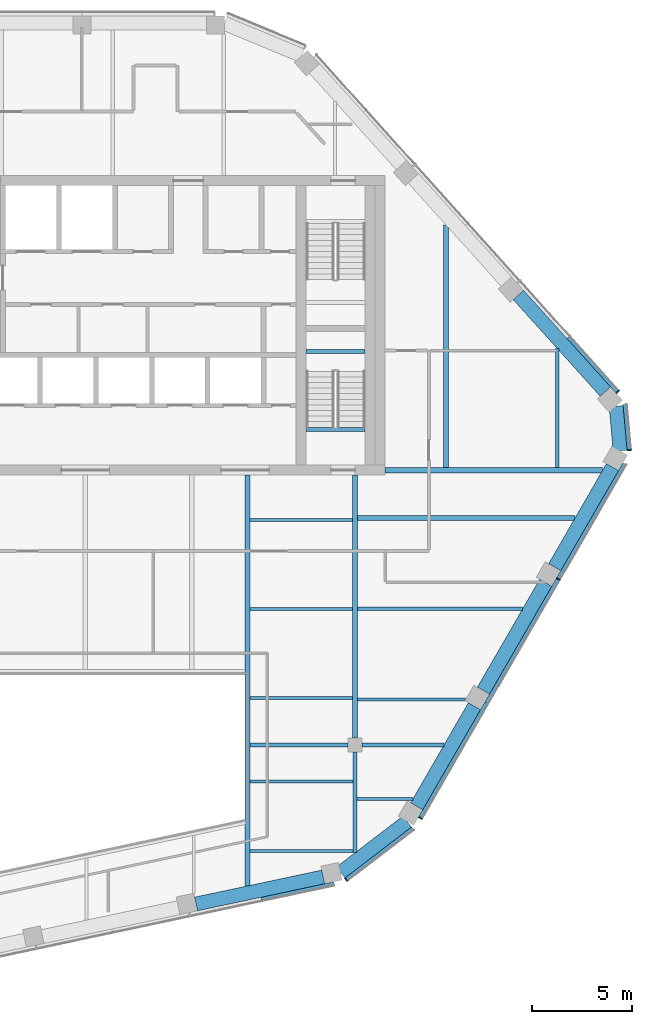
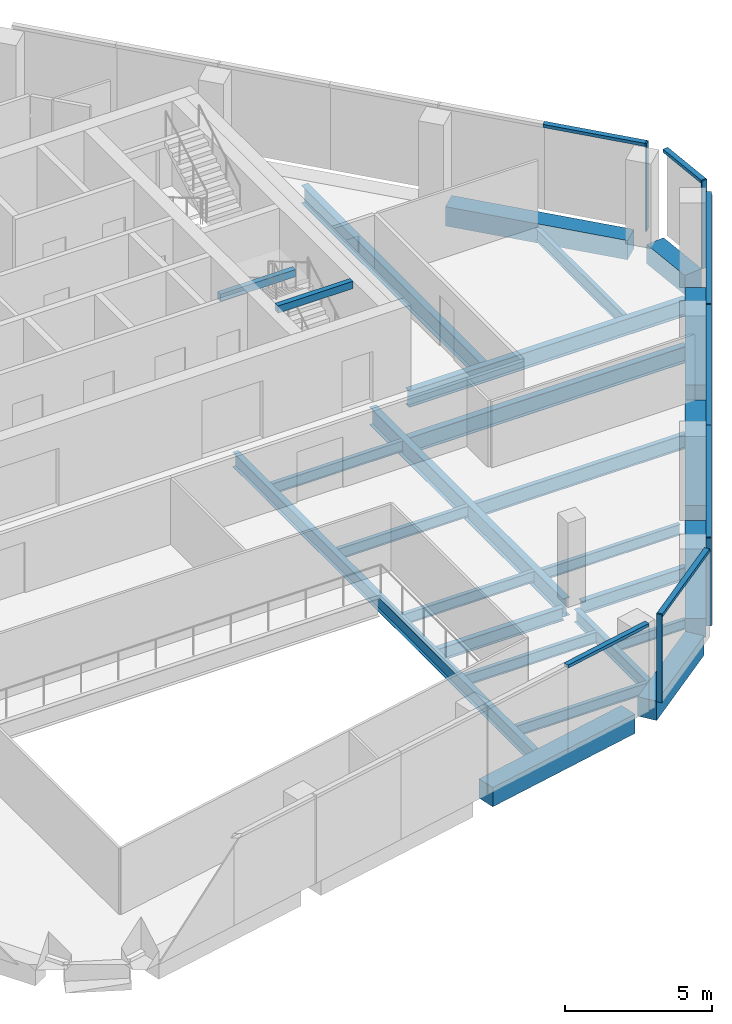
# One storey, part 4 of 15: 26 beams, 12 members, 5 elements without a shape of their own.
"""IFC4 building model written with IfcOpenShell, lengths in metres."""

from ifc_helpers import new_model, si_unit, direction, frame, origin, origin_2d, place, context, subcontext, project, spatial, rectangle, i_section, extrude, material, layer, layer_set, material_profile, profile_set, type_object, element, aggregate, save


model = new_model("IFC4")

# Units and contexts
model_context = context("Model", 3, precision=1e-05, world=origin(), true_north=direction((0.0, 1.0)))
body_context = subcontext(model_context, "Body", "Model", "MODEL_VIEW")
ifc_project = project(units=[si_unit("LENGTHUNIT", "METRE"), si_unit("AREAUNIT", "SQUARE_METRE"), si_unit("VOLUMEUNIT", "CUBIC_METRE"), si_unit("PLANEANGLEUNIT", "RADIAN"), si_unit("MASSUNIT", "GRAM", prefix="KILO")], contexts=[model_context])

# Site, building, storey
site_placement = place(None, origin())
site = spatial("IfcSite", under=ifc_project, at=site_placement, CompositionType="ELEMENT")
building_placement = place(site_placement, origin())
building = spatial("IfcBuilding", under=site, at=building_placement, Name="Isthmus Gate Tower", CompositionType="ELEMENT")
storey_placement = place(building_placement, frame((0.0, 0.0, 275.550048828125)))
storey = spatial("IfcBuildingStorey", under=building, at=storey_placement, Name="L70", CompositionType="ELEMENT", Elevation=275.550048828125)

# Curtain wall, member
ifc_material_1 = material(Name="Aluminium, pale champagne anodised", Category="aluminium")
ifc_layer = layer(ifc_material_1, 0.199951171875)
ifc_layer_set = layer_set([ifc_layer], Name="CW-1 UNITISED CURTAIN WALL 200 DEEP")
curtain_wall_type = type_object("IfcCurtainWallType", Name="CW-1 UNITISED CURTAIN WALL 200 DEEP", PredefinedType="NOTDEFINED", material=ifc_layer_set)
curtain_wall_1_placement = place(storey_placement, origin())
curtain_wall_1 = element("IfcCurtainWall", 1, at=curtain_wall_1_placement, inside=storey, type_object=curtain_wall_type, Name="CW-1 S-SE L70", PredefinedType="NOTDEFINED")
ifc_material_2 = material(Name="Aluminium, pale champagne anodised", Category="aluminium")
ifc_material_profile_1 = material_profile(ifc_material_2, rectangle(XDim=0.06005859375, YDim=0.199951171875, at=origin_2d()), Name="60x200")
ifc_profile_set_1 = profile_set([ifc_material_profile_1], Name="Aluminium, pale champagne anodised")
member_type_1 = type_object("IfcMemberType", Name="CW-1 MULLION 60 X 200", PredefinedType="MULLION", material=ifc_profile_set_1)
member_1_placement = place(storey_placement, frame((13.055908203125, -20.241455078125, 0.0), z_axis=(0.0, 0.0, 1.0), x_axis=(0.794188594387, 0.607671355706, 0.0)))
member_1 = element("IfcMember", 2, at=member_1_placement, type_object=member_type_1, Name="CW-1 mullion", PredefinedType="MULLION", context=body_context, shape_type="SweptSolid", body=[
    extrude(rectangle(XDim=0.06005859375, YDim=0.199951171875, at=origin_2d()), origin(), (0.0, 0.0, 1.0), 3.64990234375),
])

# Curtain wall, members
curtain_wall_2_placement = place(storey_placement, origin())
curtain_wall_2 = element("IfcCurtainWall", 3, at=curtain_wall_2_placement, inside=storey, type_object=curtain_wall_type, Name="CW-1 SE L70", PredefinedType="NOTDEFINED")
member_2_placement = place(storey_placement, frame((16.765380859375, -17.161376953125, 0.0), z_axis=(0.0, 0.0, 1.0), x_axis=(0.5, 0.866025403784, 0.0)))
member_2 = element("IfcMember", 4, at=member_2_placement, type_object=member_type_1, Name="CW-1 mullion", PredefinedType="MULLION", context=body_context, shape_type="SweptSolid", body=[
    extrude(rectangle(XDim=0.06005859375, YDim=0.199951171875, at=origin_2d()), origin(), (0.0, 0.0, 1.0), 3.64990234375),
])
member_3_placement = place(storey_placement, frame((23.675048828125, -5.193603515625, 0.0), z_axis=(0.0, 0.0, 1.0), x_axis=(0.5, 0.866025403784, 0.0)))
member_3 = element("IfcMember", 5, at=member_3_placement, type_object=member_type_1, Name="CW-1 mullion", PredefinedType="MULLION", context=body_context, shape_type="SweptSolid", body=[
    extrude(rectangle(XDim=0.06005859375, YDim=0.199951171875, at=origin_2d()), origin(), (0.0, 0.0, 1.0), 3.64990234375),
])

# Curtain wall, member
curtain_wall_3_placement = place(storey_placement, origin())
curtain_wall_3 = element("IfcCurtainWall", 6, at=curtain_wall_3_placement, inside=storey, type_object=curtain_wall_type, Name="CW-1 SE-NE L70", PredefinedType="NOTDEFINED")
member_4_placement = place(storey_placement, frame((27.21875, 1.258056640625, 0.0), z_axis=(0.0, 0.0, 1.0), x_axis=(-0.089396669717, 0.995996102123, 0.0)))
member_4 = element("IfcMember", 7, at=member_4_placement, type_object=member_type_1, Name="CW-1 mullion", PredefinedType="MULLION", context=body_context, shape_type="SweptSolid", body=[
    extrude(rectangle(XDim=0.06005859375, YDim=0.199951171875, at=origin_2d()), origin(), (0.0, 0.0, 1.0), 3.64990234375),
])

curtain_wall_4_placement = place(storey_placement, origin())
curtain_wall_4 = element("IfcCurtainWall", 8, at=curtain_wall_4_placement, inside=storey, type_object=curtain_wall_type, Name="CW-1 NE L70", PredefinedType="NOTDEFINED")
member_5_placement = place(storey_placement, frame((26.6474609375, 4.17626953125, 0.0), z_axis=(0.0, 0.0, 1.0), x_axis=(-0.669130606359, 0.743144825477, 0.0)))
member_5 = element("IfcMember", 9, at=member_5_placement, type_object=member_type_1, Name="CW-1 mullion", PredefinedType="MULLION", context=body_context, shape_type="SweptSolid", body=[
    extrude(rectangle(XDim=0.06005859375, YDim=0.199951171875, at=origin_2d()), origin(), (0.0, 0.0, 1.0), 3.64990234375),
])

curtain_wall_5_placement = place(storey_placement, origin())
curtain_wall_5 = element("IfcCurtainWall", 10, at=curtain_wall_5_placement, inside=storey, type_object=curtain_wall_type, Name="CW-1 S L70", PredefinedType="NOTDEFINED")
ifc_material_3 = material(Name="Aluminium, pale champagne anodised", Category="aluminium")
ifc_material_profile_2 = material_profile(ifc_material_3, rectangle(XDim=0.199951171875, YDim=0.1298828125, at=origin_2d()), Name="200x130")
ifc_profile_set_2 = profile_set([ifc_material_profile_2], Name="Aluminium, pale champagne anodised")
member_type_2 = type_object("IfcMemberType", Name="CW-1 TRANSOM 200 X 130", PredefinedType="USERDEFINED", material=ifc_profile_set_2)
member_6_placement = place(storey_placement, frame((8.816162109375, -21.228271484375, 3.5849609375), z_axis=(0.978146451283, 0.207917098487, 0.0), x_axis=(-0.207917098487, 0.978146451283, 0.0)))
member_6 = element("IfcMember", 11, at=member_6_placement, type_object=member_type_2, Name="CW-1 transom", ObjectType="TRANSOM", PredefinedType="USERDEFINED", context=body_context, shape_type="SweptSolid", body=[
    extrude(rectangle(XDim=0.199951171875, YDim=0.1298828125, at=origin_2d()), origin(), (0.0, 0.0, 1.0), 3.70361328125),
])
aggregate(curtain_wall_5, [member_6])

# Member
member_7_placement = place(storey_placement, frame((13.07958984375, -20.22314453125, 3.5849609375), z_axis=(0.794225234414, 0.607623466482, 0.0), x_axis=(-0.607623466482, 0.794225234414, 0.0)))
member_7 = element("IfcMember", 12, at=member_7_placement, type_object=member_type_2, Name="CW-1 transom", ObjectType="TRANSOM", PredefinedType="USERDEFINED", context=body_context, shape_type="SweptSolid", body=[
    extrude(rectangle(XDim=0.199951171875, YDim=0.1298828125, at=origin_2d()), origin(), (0.0, 0.0, 1.0), 4.181396484375),
])

aggregate(curtain_wall_1, [member_1, member_7])

member_8_placement = place(storey_placement, frame((16.780517578125, -17.135498046875, 3.5849609375), z_axis=(0.49999574405, 0.866027860944, 0.0), x_axis=(-0.866027860944, 0.49999574405, 0.0)))
member_8 = element("IfcMember", 13, at=member_8_placement, type_object=member_type_2, Name="CW-1 transom", ObjectType="TRANSOM", PredefinedType="USERDEFINED", context=body_context, shape_type="SweptSolid", body=[
    extrude(rectangle(XDim=0.199951171875, YDim=0.1298828125, at=origin_2d()), origin(), (0.0, 0.0, 1.0), 6.62451171875),
])

member_9_placement = place(storey_placement, frame((20.0927734375, -11.3984375, 3.5849609375), z_axis=(0.499985098601, 0.86603400694, 0.0), x_axis=(-0.86603400694, 0.499985098601, 0.0)))
member_9 = element("IfcMember", 14, at=member_9_placement, type_object=member_type_2, Name="CW-1 transom", ObjectType="TRANSOM", PredefinedType="USERDEFINED", context=body_context, shape_type="SweptSolid", body=[
    extrude(rectangle(XDim=0.199951171875, YDim=0.1298828125, at=origin_2d()), origin(), (0.0, 0.0, 1.0), 7.134521484375),
])

member_10_placement = place(storey_placement, frame((23.68994140625, -5.167724609375, 3.5849609375), z_axis=(0.49999574405, 0.866027860944, 0.0), x_axis=(-0.866027860944, 0.49999574405, 0.0)))
member_10 = element("IfcMember", 15, at=member_10_placement, type_object=member_type_2, Name="CW-1 transom", ObjectType="TRANSOM", PredefinedType="USERDEFINED", context=body_context, shape_type="SweptSolid", body=[
    extrude(rectangle(XDim=0.199951171875, YDim=0.1298828125, at=origin_2d()), origin(), (0.0, 0.0, 1.0), 6.62451171875),
])

aggregate(curtain_wall_2, [member_2, member_8, member_9, member_3, member_10])

member_11_placement = place(storey_placement, frame((27.216064453125, 1.287841796875, 3.5849609375), z_axis=(-0.089395362867, 0.995996219419, 0.0), x_axis=(-0.995996219419, -0.089395362867, 0.0)))
member_11 = element("IfcMember", 16, at=member_11_placement, type_object=member_type_2, Name="CW-1 transom", ObjectType="TRANSOM", PredefinedType="USERDEFINED", context=body_context, shape_type="SweptSolid", body=[
    extrude(rectangle(XDim=0.199951171875, YDim=0.1298828125, at=origin_2d()), origin(), (0.0, 0.0, 1.0), 2.258544921875),
])

aggregate(curtain_wall_3, [member_4, member_11])

member_12_placement = place(storey_placement, frame((26.62744140625, 4.198486328125, 3.5849609375), z_axis=(-0.669149818044, 0.743127526749, 0.0), x_axis=(-0.743127526749, -0.669149818044, 0.0)))
member_12 = element("IfcMember", 17, at=member_12_placement, type_object=member_type_2, Name="CW-1 transom", ObjectType="TRANSOM", PredefinedType="USERDEFINED", context=body_context, shape_type="SweptSolid", body=[
    extrude(rectangle(XDim=0.199951171875, YDim=0.1298828125, at=origin_2d()), origin(), (0.0, 0.0, 1.0), 3.643310546875),
])

aggregate(curtain_wall_4, [member_5, member_12])

# Beams
ifc_material_4 = material(Name="Concrete f'c 50 MPa", Category="concrete")
ifc_material_profile_3 = material_profile(ifc_material_4, rectangle(XDim=0.699951171875, YDim=0.800048828125, at=origin_2d()), Name="RC 700X800")
ifc_profile_set_3 = profile_set([ifc_material_profile_3], Name="Concrete f'c 50 MPa")
beam_type_1 = type_object("IfcBeamType", Name="RC SPANDREL 700 X 800", PredefinedType="SPANDREL", material=ifc_profile_set_3)
beam_1_placement = place(storey_placement, frame((21.67822265625, 9.022705078125, -0.400146484375), z_axis=(0.669122265754, -0.743152335307, 0.0), x_axis=(0.743152335307, 0.669122265754, 0.0)))
element("IfcBeam", 18, at=beam_1_placement, inside=storey, type_object=beam_type_1, Name="str-spandrel-L70-03", PredefinedType="SPANDREL", context=body_context, shape_type="SweptSolid", body=[
    extrude(rectangle(XDim=0.699951171875, YDim=0.800048828125, at=origin_2d()), origin(), (0.0, 0.0, 1.0), 6.506591796875),
])
beam_2_placement = place(storey_placement, frame((26.5693359375, 3.459716796875, -0.400146484375), z_axis=(0.089359478208, -0.995999439585, 0.0), x_axis=(0.995999439585, 0.089359478208, 0.0)))
element("IfcBeam", 19, at=beam_2_placement, inside=storey, type_object=beam_type_1, Name="str-spandrel-L70-04", PredefinedType="SPANDREL", context=body_context, shape_type="SweptSolid", body=[
    extrude(rectangle(XDim=0.699951171875, YDim=0.800048828125, at=origin_2d()), origin(), (0.0, 0.0, 1.0), 2.245849609375),
])
beam_3_placement = place(storey_placement, frame((26.387451171875, 0.404541015625, -0.400146484375), z_axis=(-0.499979418648, -0.866037286108, 0.0), x_axis=(0.866037286108, -0.499979418648, 0.0)))
element("IfcBeam", 20, at=beam_3_placement, inside=storey, type_object=beam_type_1, Name="str-spandrel-L70-05", PredefinedType="SPANDREL", context=body_context, shape_type="SweptSolid", body=[
    extrude(rectangle(XDim=0.699951171875, YDim=0.800048828125, at=origin_2d()), origin(), (0.0, 0.0, 1.0), 5.784423828125),
])
beam_4_placement = place(storey_placement, frame((23.045166015625, -5.384521484375, -0.400146484375), z_axis=(-0.499997027648, -0.866027119866, 0.0), x_axis=(0.866027119866, -0.499997027648, 0.0)))
element("IfcBeam", 21, at=beam_4_placement, inside=storey, type_object=beam_type_1, Name="str-spandrel-L70-06", PredefinedType="SPANDREL", context=body_context, shape_type="SweptSolid", body=[
    extrude(rectangle(XDim=0.699951171875, YDim=0.800048828125, at=origin_2d()), origin(), (0.0, 0.0, 1.0), 6.234375),
])
beam_5_placement = place(storey_placement, frame((19.47802734375, -11.56298828125, -0.400146484375), z_axis=(-0.499992798144, -0.866029561738, 0.0), x_axis=(0.866029561738, -0.499992798144, 0.0)))
element("IfcBeam", 22, at=beam_5_placement, inside=storey, type_object=beam_type_1, Name="str-spandrel-L70-07", PredefinedType="SPANDREL", context=body_context, shape_type="SweptSolid", body=[
    extrude(rectangle(XDim=0.699951171875, YDim=0.800048828125, at=origin_2d()), origin(), (0.0, 0.0, 1.0), 5.78466796875),
])
beam_6_placement = place(storey_placement, frame((16.110595703125, -17.337646484375, -0.400146484375), z_axis=(-0.794204252251, -0.607650891307, 0.0), x_axis=(0.607650891307, -0.794204252251, 0.0)))
element("IfcBeam", 23, at=beam_6_placement, inside=storey, type_object=beam_type_1, Name="str-spandrel-L70-08", PredefinedType="SPANDREL", context=body_context, shape_type="SweptSolid", body=[
    extrude(rectangle(XDim=0.699951171875, YDim=0.800048828125, at=origin_2d()), origin(), (0.0, 0.0, 1.0), 4.197021484375),
])
beam_7_placement = place(storey_placement, frame((11.90478515625, -20.11181640625, -0.400146484375), z_axis=(-0.978148646173, -0.207906772352, 0.0), x_axis=(0.207906772352, -0.978148646173, 0.0)))
element("IfcBeam", 24, at=beam_7_placement, inside=storey, type_object=beam_type_1, Name="str-spandrel-L70-09", PredefinedType="SPANDREL", context=body_context, shape_type="SweptSolid", body=[
    extrude(rectangle(XDim=0.699951171875, YDim=0.800048828125, at=origin_2d()), origin(), (0.0, 0.0, 1.0), 6.506591796875),
])
ifc_material_5 = material(Name="Concrete f'c 40 MPa", Category="concrete")
ifc_material_profile_4 = material_profile(ifc_material_5, rectangle(XDim=0.199951171875, YDim=0.300048828125, at=origin_2d()), Name="STAIR LANDING BEAM RC 200 X 300")
ifc_profile_set_4 = profile_set([ifc_material_profile_4], Name="Concrete f'c 40 MPa")
beam_type_2 = type_object("IfcBeamType", Name="STAIR LANDING BEAM RC 200 X 300", PredefinedType="BEAM", material=ifc_profile_set_4)
for number, where, z_axis, x_axis, name in (
    (25, (11.050048828125, 6.199951171875, 1.474853515625), (1.0, 0.0, 0.0), (0.0, 1.0, 0.0), "L70 ST8 landing beam 1"),
    (26, (11.050048828125, 2.2998046875, 3.349853515625), (1.0, 0.0, 0.0), (0.0, 1.0, 0.0), "L70 ST8 floor-edge seat beam"),
):
    element("IfcBeam", number, at=place(storey_placement, frame(where, z_axis=z_axis, x_axis=x_axis)), inside=storey, type_object=beam_type_2, Name=name, PredefinedType="BEAM", context=body_context, shape_type="SweptSolid", body=[
        extrude(rectangle(XDim=0.199951171875, YDim=0.300048828125, at=origin_2d()), origin(), (0.0, 0.0, 1.0), 2.949951171875),
    ])
ifc_material_6 = material(Name="Structural steel ASTM A992 Gr 50", Category="steel")
ifc_material_profile_5 = material_profile(ifc_material_6, i_section(OverallWidth=0.1396484375, OverallDepth=0.4033203125, WebThickness=0.00634765625, FlangeThickness=0.010986328125, at=origin_2d()), Name="W16X31")
ifc_profile_set_5 = profile_set([ifc_material_profile_5], Name="Structural steel ASTM A992 Gr 50")
beam_type_3 = type_object("IfcBeamType", Name="STEEL FLOOR BEAM W16X31", PredefinedType="JOIST", material=ifc_profile_set_5)
beam_8_placement = place(storey_placement, frame((13.604736328125, -16.20947265625, -0.3515625), z_axis=(1.0, 0.0, 0.0), x_axis=(0.0, 1.0, 0.0)))
element("IfcBeam", 27, at=beam_8_placement, inside=storey, type_object=beam_type_3, Name="str-beam-L70-11-00", PredefinedType="JOIST", context=body_context, shape_type="SweptSolid", body=[
    extrude(i_section(OverallWidth=0.1396484375, OverallDepth=0.4033203125, WebThickness=0.00634765625, FlangeThickness=0.010986328125, at=origin_2d()), origin(), (0.0, 0.0, 1.0), 2.78662109375),
])
ifc_material_7 = material(Name="Structural steel ASTM A992 Gr 50", Category="steel")
ifc_material_profile_6 = material_profile(ifc_material_7, i_section(OverallWidth=0.15234375, OverallDepth=0.45068359375, WebThickness=0.0078125, FlangeThickness=0.010986328125, at=origin_2d()), Name="W18X35")
ifc_profile_set_6 = profile_set([ifc_material_profile_6], Name="Structural steel ASTM A992 Gr 50")
beam_type_4 = type_object("IfcBeamType", Name="STEEL FLOOR BEAM W18X35", PredefinedType="JOIST", material=ifc_profile_set_6)
for number, where, z_axis, x_axis, name in (
    (28, (8.228515625, -18.802734375, -0.37548828125), (1.0, 0.0, 0.0), (0.0, 1.0, 0.0), "str-beam-L70-09-00"),
    (29, (8.228515625, -15.33740234375, -0.37548828125), (1.0, 0.0, 0.0), (0.0, 1.0, 0.0), "str-beam-L70-09-01"),
):
    element("IfcBeam", number, at=place(storey_placement, frame(where, z_axis=z_axis, x_axis=x_axis)), inside=storey, type_object=beam_type_4, Name=name, PredefinedType="JOIST", context=body_context, shape_type="SweptSolid", body=[
        extrude(i_section(OverallWidth=0.15234375, OverallDepth=0.45068359375, WebThickness=0.0078125, FlangeThickness=0.010986328125, at=origin_2d()), origin(), (0.0, 0.0, 1.0), 5.166748046875),
    ])
for number, where, z_axis, x_axis, name in (
    (30, (8.228515625, -11.16259765625, -0.37548828125), (1.0, 0.0, 0.0), (0.0, 1.0, 0.0), "str-beam-L70-10-00"),
    (31, (8.228515625, -6.697509765625, -0.37548828125), (1.0, 0.0, 0.0), (0.0, 1.0, 0.0), "str-beam-L70-10-01"),
    (32, (8.228515625, -2.232421875, -0.37548828125), (1.0, 0.0, 0.0), (0.0, 1.0, 0.0), "str-beam-L70-10-02"),
):
    element("IfcBeam", number, at=place(storey_placement, frame(where, z_axis=z_axis, x_axis=x_axis)), inside=storey, type_object=beam_type_4, Name=name, PredefinedType="JOIST", context=body_context, shape_type="SweptSolid", body=[
        extrude(i_section(OverallWidth=0.15234375, OverallDepth=0.45068359375, WebThickness=0.0078125, FlangeThickness=0.010986328125, at=origin_2d()), origin(), (0.0, 0.0, 1.0), 5.1396484375),
    ])
beam_9_placement = place(storey_placement, frame((13.6318359375, -11.2294921875, -0.37548828125), z_axis=(1.0, 0.0, 0.0), x_axis=(0.0, 1.0, 0.0)))
element("IfcBeam", 33, at=beam_9_placement, inside=storey, type_object=beam_type_4, Name="str-beam-L70-12-00", PredefinedType="JOIST", context=body_context, shape_type="SweptSolid", body=[
    extrude(i_section(OverallWidth=0.15234375, OverallDepth=0.45068359375, WebThickness=0.0078125, FlangeThickness=0.010986328125, at=origin_2d()), origin(), (0.0, 0.0, 1.0), 5.40380859375),
])
ifc_material_8 = material(Name="Structural steel ASTM A992 Gr 50", Category="steel")
ifc_material_profile_7 = material_profile(ifc_material_8, i_section(OverallWidth=0.1650390625, OverallDepth=0.52392578125, WebThickness=0.009521484375, FlangeThickness=0.010986328125, at=origin_2d()), Name="W21X44")
ifc_profile_set_7 = profile_set([ifc_material_profile_7], Name="Structural steel ASTM A992 Gr 50")
beam_type_5 = type_object("IfcBeamType", Name="STEEL FLOOR BEAM W21X44", PredefinedType="JOIST", material=ifc_profile_set_7)
beam_10_placement = place(storey_placement, frame((23.61865234375, 0.376953125, -0.412109375), z_axis=(0.0, 1.0, 0.0), x_axis=(-1.0, 0.0, 0.0)))
element("IfcBeam", 34, at=beam_10_placement, inside=storey, type_object=beam_type_5, Name="str-beam-L70-07-07", PredefinedType="JOIST", context=body_context, shape_type="SweptSolid", body=[
    extrude(i_section(OverallWidth=0.1650390625, OverallDepth=0.52392578125, WebThickness=0.009521484375, FlangeThickness=0.010986328125, at=origin_2d()), origin(), (0.0, 0.0, 1.0), 5.967529296875),
])
ifc_material_9 = material(Name="Structural steel ASTM A992 Gr 50", Category="steel")
ifc_material_profile_8 = material_profile(ifc_material_9, i_section(OverallWidth=0.177734375, OverallDepth=0.60009765625, WebThickness=0.009521484375, FlangeThickness=0.0126953125, at=origin_2d()), Name="W24X55")
ifc_profile_set_8 = profile_set([ifc_material_profile_8], Name="Structural steel ASTM A992 Gr 50")
beam_type_6 = type_object("IfcBeamType", Name="STEEL FLOOR BEAM W24X55", PredefinedType="JOIST", material=ifc_profile_set_8)
beam_11_placement = place(storey_placement, frame((13.6318359375, -6.6884765625, -0.4501953125), z_axis=(1.0, 0.0, 0.0), x_axis=(0.0, 1.0, 0.0)))
element("IfcBeam", 35, at=beam_11_placement, inside=storey, type_object=beam_type_6, Name="str-beam-L70-12-01", PredefinedType="JOIST", context=body_context, shape_type="SweptSolid", body=[
    extrude(i_section(OverallWidth=0.177734375, OverallDepth=0.60009765625, WebThickness=0.009521484375, FlangeThickness=0.0126953125, at=origin_2d()), origin(), (0.0, 0.0, 1.0), 8.25634765625),
])
ifc_material_10 = material(Name="Structural steel ASTM A992 Gr 50", Category="steel")
ifc_material_profile_9 = material_profile(ifc_material_10, i_section(OverallWidth=0.25390625, OverallDepth=0.679443359375, WebThickness=0.010986328125, FlangeThickness=0.015869140625, at=origin_2d()), Name="W27X84")
ifc_profile_set_9 = profile_set([ifc_material_profile_9], Name="Structural steel ASTM A992 Gr 50")
beam_type_7 = type_object("IfcBeamType", Name="STEEL FLOOR BEAM W27X84", PredefinedType="JOIST", material=ifc_profile_set_9)
beam_12_placement = place(storey_placement, frame((13.6318359375, -2.1474609375, -0.48974609375), z_axis=(1.0, 0.0, 0.0), x_axis=(0.0, 1.0, 0.0)))
element("IfcBeam", 36, at=beam_12_placement, inside=storey, type_object=beam_type_7, Name="str-beam-L70-12-02", PredefinedType="JOIST", context=body_context, shape_type="SweptSolid", body=[
    extrude(i_section(OverallWidth=0.25390625, OverallDepth=0.679443359375, WebThickness=0.010986328125, FlangeThickness=0.015869140625, at=origin_2d()), origin(), (0.0, 0.0, 1.0), 10.878173828125),
])
ifc_material_11 = material(Name="Structural steel ASTM A992 Gr 50", Category="steel")
ifc_material_profile_10 = material_profile(ifc_material_11, i_section(OverallWidth=0.263427734375, OverallDepth=0.749267578125, WebThickness=0.0126953125, FlangeThickness=0.015869140625, at=origin_2d()), Name="W30X90")
ifc_profile_set_10 = profile_set([ifc_material_profile_10], Name="Structural steel ASTM A992 Gr 50")
beam_type_8 = type_object("IfcBeamType", Name="STEEL FLOOR BEAM W30X90", PredefinedType="JOIST", material=ifc_profile_set_10)
beam_13_placement = place(storey_placement, frame((18.05712890625, 0.376953125, -0.524658203125), z_axis=(0.0, 1.0, 0.0), x_axis=(-1.0, 0.0, 0.0)))
element("IfcBeam", 37, at=beam_13_placement, inside=storey, type_object=beam_type_8, Name="str-beam-L70-07-06", PredefinedType="JOIST", context=body_context, shape_type="SweptSolid", body=[
    extrude(i_section(OverallWidth=0.263427734375, OverallDepth=0.749267578125, WebThickness=0.0126953125, FlangeThickness=0.015869140625, at=origin_2d()), origin(), (0.0, 0.0, 1.0), 12.144287109375),
])
ifc_material_12 = material(Name="Structural steel ASTM A992 Gr 50", Category="steel")
ifc_material_profile_11 = material_profile(ifc_material_12, i_section(OverallWidth=0.20947265625, OverallDepth=0.533447265625, WebThickness=0.009521484375, FlangeThickness=0.015869140625, at=origin_2d()), Name="W21X62")
ifc_profile_set_11 = profile_set([ifc_material_profile_11], Name="Structural steel ASTM A992 Gr 50")
beam_type_9 = type_object("IfcBeamType", Name="STEEL GIRDER W21X62", PredefinedType="BEAM", material=ifc_profile_set_11)
beam_14_placement = place(storey_placement, frame((8.228515625, -13.5, -0.416748046875), z_axis=(1.0, 0.0, 0.0), x_axis=(0.0, 1.0, 0.0)))
element("IfcBeam", 38, at=beam_14_placement, inside=storey, type_object=beam_type_9, Name="str-girder-L70-03", PredefinedType="BEAM", context=body_context, shape_type="SweptSolid", body=[
    extrude(i_section(OverallWidth=0.20947265625, OverallDepth=0.533447265625, WebThickness=0.009521484375, FlangeThickness=0.015869140625, at=origin_2d()), origin(), (0.0, 0.0, 1.0), 4.92138671875),
])
beam_15_placement = place(storey_placement, frame((13.85009765625, -13.5, -0.416748046875), z_axis=(1.0, 0.0, 0.0), x_axis=(0.0, 1.0, 0.0)))
element("IfcBeam", 39, at=beam_15_placement, inside=storey, type_object=beam_type_9, Name="str-girder-L70-04", PredefinedType="BEAM", context=body_context, shape_type="SweptSolid", body=[
    extrude(i_section(OverallWidth=0.20947265625, OverallDepth=0.533447265625, WebThickness=0.009521484375, FlangeThickness=0.015869140625, at=origin_2d()), origin(), (0.0, 0.0, 1.0), 4.10546875),
])
beam_16_placement = place(storey_placement, frame((13.5, -18.894287109375, -0.416748046875), z_axis=(0.0, 1.0, 0.0), x_axis=(-1.0, 0.0, 0.0)))
element("IfcBeam", 40, at=beam_16_placement, inside=storey, type_object=beam_type_9, Name="str-girder-L70-07", PredefinedType="BEAM", context=body_context, shape_type="SweptSolid", body=[
    extrude(i_section(OverallWidth=0.20947265625, OverallDepth=0.533447265625, WebThickness=0.009521484375, FlangeThickness=0.015869140625, at=origin_2d()), origin(), (0.0, 0.0, 1.0), 5.044189453125),
])
ifc_material_13 = material(Name="Structural steel ASTM A992 Gr 50", Category="steel")
ifc_material_profile_12 = material_profile(ifc_material_13, i_section(OverallWidth=0.25390625, OverallDepth=0.679443359375, WebThickness=0.010986328125, FlangeThickness=0.015869140625, at=origin_2d()), Name="W27X84")
ifc_profile_set_12 = profile_set([ifc_material_profile_12], Name="Structural steel ASTM A992 Gr 50")
beam_type_10 = type_object("IfcBeamType", Name="STEEL GIRDER W27X84", PredefinedType="BEAM", material=ifc_profile_set_12)
beam_17_placement = place(storey_placement, frame((15.0, 0.25, -0.48974609375), z_axis=(1.0, 0.0, 0.0), x_axis=(0.0, 1.0, 0.0)))
element("IfcBeam", 41, at=beam_17_placement, inside=storey, type_object=beam_type_10, Name="str-girder-L70-10", PredefinedType="BEAM", context=body_context, shape_type="SweptSolid", body=[
    extrude(i_section(OverallWidth=0.25390625, OverallDepth=0.679443359375, WebThickness=0.010986328125, FlangeThickness=0.015869140625, at=origin_2d()), origin(), (0.0, 0.0, 1.0), 10.89404296875),
])
ifc_material_14 = material(Name="Structural steel ASTM A992 Gr 50", Category="steel")
ifc_material_profile_13 = material_profile(ifc_material_14, i_section(OverallWidth=0.263427734375, OverallDepth=0.749267578125, WebThickness=0.0126953125, FlangeThickness=0.015869140625, at=origin_2d()), Name="W30X90")
ifc_profile_set_13 = profile_set([ifc_material_profile_13], Name="Structural steel ASTM A992 Gr 50")
beam_type_11 = type_object("IfcBeamType", Name="STEEL GIRDER W30X90", PredefinedType="BEAM", material=ifc_profile_set_13)
beam_18_placement = place(storey_placement, frame((13.5, -13.14990234375, -0.524658203125), z_axis=(0.0, 1.0, 0.0), x_axis=(-1.0, 0.0, 0.0)))
element("IfcBeam", 42, at=beam_18_placement, inside=storey, type_object=beam_type_11, Name="str-girder-L70-08", PredefinedType="BEAM", context=body_context, shape_type="SweptSolid", body=[
    extrude(i_section(OverallWidth=0.263427734375, OverallDepth=0.749267578125, WebThickness=0.0126953125, FlangeThickness=0.015869140625, at=origin_2d()), origin(), (0.0, 0.0, 1.0), 13.14990234375),
])
ifc_material_15 = material(Name="Structural steel ASTM A992 Gr 50", Category="steel")
ifc_material_profile_14 = material_profile(ifc_material_15, i_section(OverallWidth=0.228515625, OverallDepth=0.603271484375, WebThickness=0.010986328125, FlangeThickness=0.014404296875, at=origin_2d()), Name="W24X68")
ifc_profile_set_14 = profile_set([ifc_material_profile_14], Name="Structural steel ASTM A992 Gr 50")
beam_type_12 = type_object("IfcBeamType", Name="STEEL TRIMMER W24X68", PredefinedType="BEAM", material=ifc_profile_set_14)
beam_19_placement = place(storey_placement, frame((8.1142578125, -20.5595703125, -0.45166015625), z_axis=(0.0, 1.0, 0.0), x_axis=(-1.0, 0.0, 0.0)))
element("IfcBeam", 43, at=beam_19_placement, inside=storey, type_object=beam_type_12, Name="str-trimmer-L70-01", PredefinedType="BEAM", context=body_context, shape_type="SweptSolid", body=[
    extrude(i_section(OverallWidth=0.228515625, OverallDepth=0.603271484375, WebThickness=0.010986328125, FlangeThickness=0.014404296875, at=origin_2d()), origin(), (0.0, 0.0, 1.0), 20.5595703125),
])

save(model, "model.ifc")
